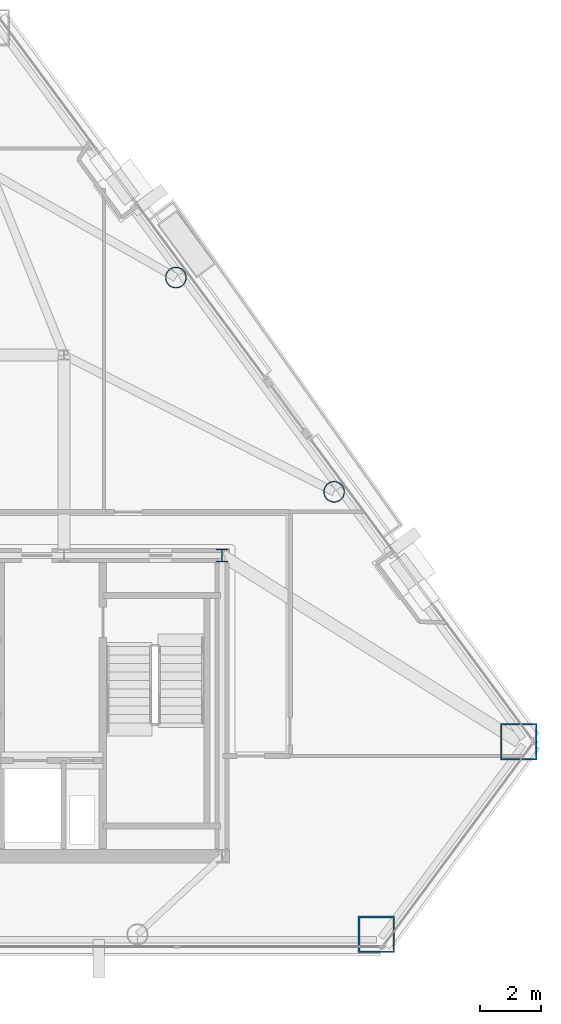
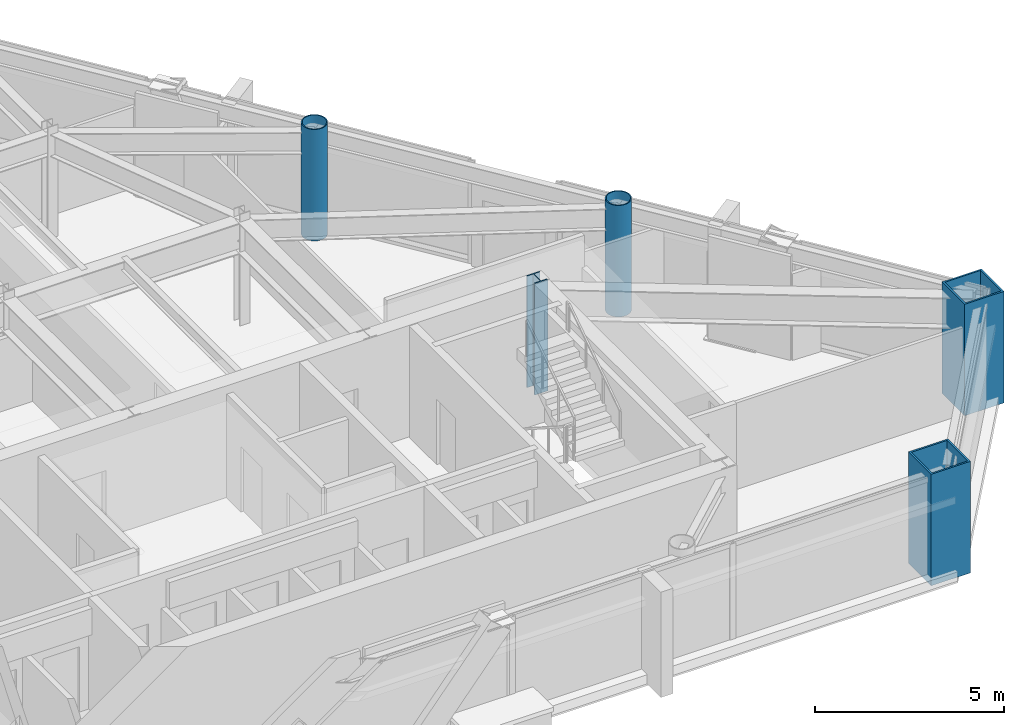
# One storey, part 2 of 11: 5 columns.
"""IFC4 building model written with IfcOpenShell, lengths in metres."""

from ifc_helpers import new_model, si_unit, direction, frame, origin, origin_2d, place, context, subcontext, project, spatial, hollow_rectangle, hollow_circle, i_section, extrude, material, material_profile, profile_set, type_object, element, save


model = new_model("IFC4")

# Units and contexts
model_context = context("Model", 3, precision=1e-05, world=origin(), true_north=direction((0.0, 1.0)))
body_context = subcontext(model_context, "Body", "Model", "MODEL_VIEW")
ifc_project = project(units=[si_unit("LENGTHUNIT", "METRE"), si_unit("AREAUNIT", "SQUARE_METRE"), si_unit("VOLUMEUNIT", "CUBIC_METRE"), si_unit("PLANEANGLEUNIT", "RADIAN"), si_unit("MASSUNIT", "GRAM", prefix="KILO")], contexts=[model_context])

# Site, building, storey
site_placement = place(None, origin())
site = spatial("IfcSite", under=ifc_project, at=site_placement, CompositionType="ELEMENT")
building_placement = place(site_placement, origin())
building = spatial("IfcBuilding", under=site, at=building_placement, Name="Talgorran Terracotta Tower", CompositionType="ELEMENT")
storey_placement = place(building_placement, frame((0.0, 0.0, 150.89990234375)))
storey = spatial("IfcBuildingStorey", under=building, at=storey_placement, Name="L39", CompositionType="ELEMENT", Elevation=150.89990234375)

# Columns
ifc_material_1 = material(Name="Steel S355 (300PLUS)", Category="steel")
ifc_material_profile_1 = material_profile(ifc_material_1, i_section(OverallWidth=0.39990234375, OverallDepth=0.43994140625, WebThickness=0.028076171875, FlangeThickness=0.0400390625, at=origin_2d()), Name="400WC328")
ifc_profile_set_1 = profile_set([ifc_material_profile_1], Name="Steel S355 (300PLUS)")
column_type_1 = type_object("IfcColumnType", Name="COL_400WC328", PredefinedType="COLUMN", material=ifc_profile_set_1)
column_placement = place(storey_placement, frame((12.39990234375, -4.199951171875, 0.0), z_axis=(0.0, 0.0, 1.0), x_axis=(1.0, 0.0, 0.0)))
element("IfcColumn", 1, at=column_placement, inside=storey, type_object=column_type_1, Name="L39 Core Boundary Column CC3", PredefinedType="COLUMN", context=body_context, shape_type="SweptSolid", body=[
    extrude(i_section(OverallWidth=0.39990234375, OverallDepth=0.43994140625, WebThickness=0.028076171875, FlangeThickness=0.0400390625, at=origin_2d()), origin(), (0.0, 0.0, 1.0), 3.60009765625),
])
ifc_material_2 = material(Name="Steel Grade 350 (350L0)", Category="steel")
ifc_material_profile_2 = material_profile(ifc_material_2, hollow_rectangle(XDim=1.199951171875, YDim=1.199951171875, WallThickness=0.054931640625, at=origin_2d()), Name="CFT1200X1200X55")
ifc_profile_set_2 = profile_set([ifc_material_profile_2], Name="Steel Grade 350 (350L0)")
column_type_2 = type_object("IfcColumnType", Name="COL_CFT_1200", PredefinedType="COLUMN", material=ifc_profile_set_2)
for number, where, z_axis, x_axis, name in (
    (2, (17.483642578125, -16.67431640625, 0.0), (0.0, 0.0, 1.0), (1.0, 0.0, 0.0), "L39 Corner CFT Mega-Column MC3"),
    (3, (22.168212890625, -10.331298828125, 0.0), (0.0, 0.0, 1.0), (1.0, 0.0, 0.0), "L39 Corner CFT Mega-Column MC4"),
):
    element("IfcColumn", number, at=place(storey_placement, frame(where, z_axis=z_axis, x_axis=x_axis)), inside=storey, type_object=column_type_2, Name=name, PredefinedType="COLUMN", context=body_context, shape_type="SweptSolid", body=[
        extrude(hollow_rectangle(XDim=1.199951171875, YDim=1.199951171875, WallThickness=0.054931640625, at=origin_2d()), origin(), (0.0, 0.0, 1.0), 3.60009765625),
    ])
ifc_material_profile_3 = material_profile(ifc_material_2, hollow_circle(Radius=0.35009765625, WallThickness=0.030029296875, at=origin_2d()), Name="CHS700X30")
ifc_profile_set_3 = profile_set([ifc_material_profile_3], Name="Steel Grade 350 (350L0)")
column_type_3 = type_object("IfcColumnType", Name="COL_CHS_700", PredefinedType="COLUMN", material=ifc_profile_set_3)
for number, where, z_axis, x_axis, name in (
    (4, (16.091552734375, -2.10302734375, 0.0), (0.0, 0.0, 1.0), (1.0, 0.0, 0.0), "L39 Facet Perimeter Column FC3"),
    (5, (10.8828125, 4.94970703125, 0.0), (0.0, 0.0, 1.0), (1.0, 0.0, 0.0), "L39 Facet Perimeter Column FC4"),
):
    element("IfcColumn", number, at=place(storey_placement, frame(where, z_axis=z_axis, x_axis=x_axis)), inside=storey, type_object=column_type_3, Name=name, PredefinedType="COLUMN", context=body_context, shape_type="SweptSolid", body=[
        extrude(hollow_circle(Radius=0.35009765625, WallThickness=0.030029296875, at=origin_2d()), origin(), (0.0, 0.0, 1.0), 3.60009765625),
    ])

save(model, "model.ifc")
